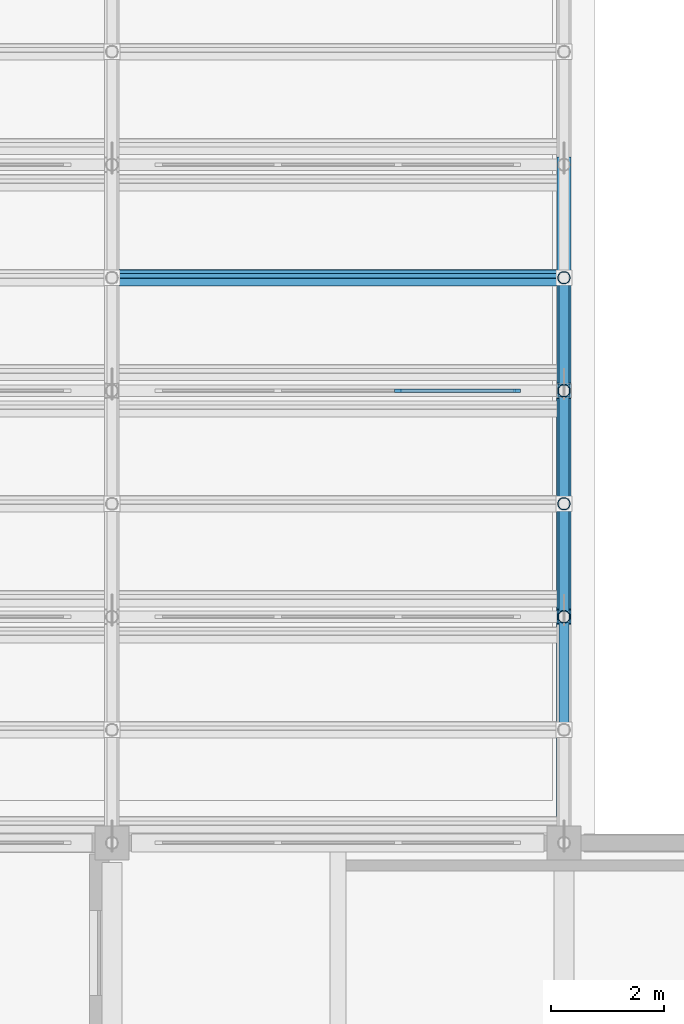
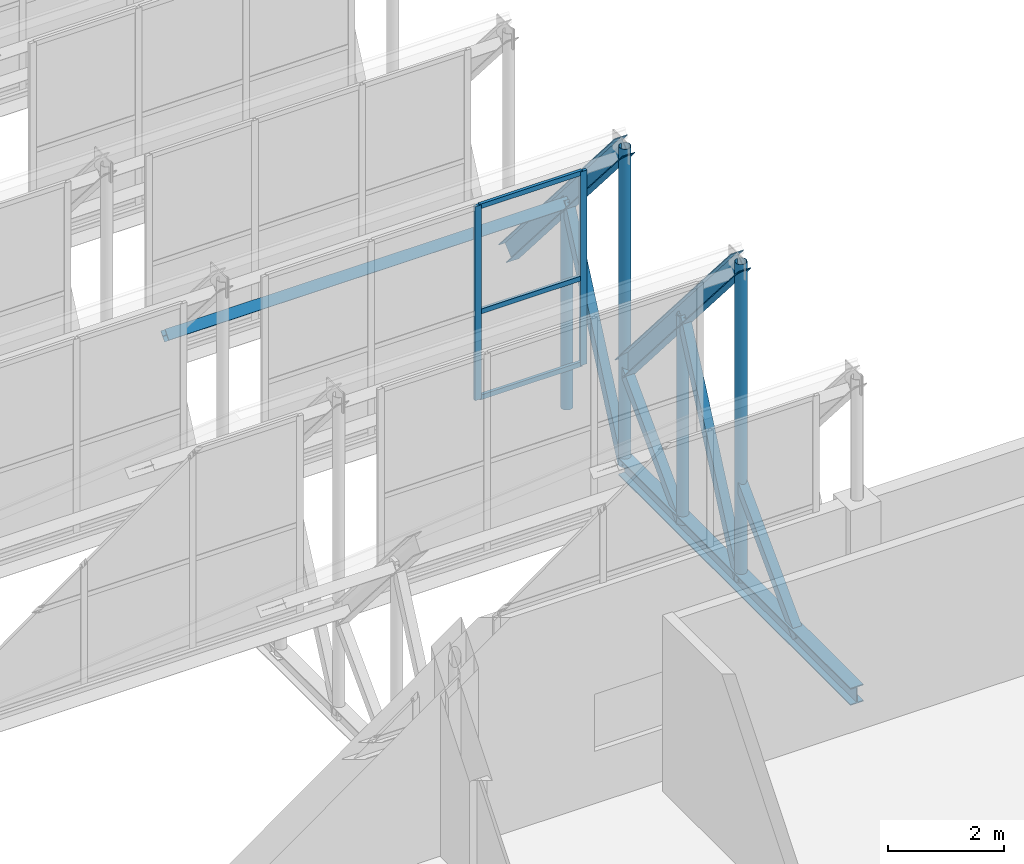
# One storey, part 24 of 43: 16 members, 1 beam, 1 element without a shape of its own.
"""IFC4 building model written with IfcOpenShell, lengths in metres."""

from ifc_helpers import new_model, si_unit, direction, frame, origin, origin_2d, place, context, subcontext, project, spatial, rectangle, hollow_rectangle, hollow_circle, i_section, extrude, material, layer, layer_set, material_profile, profile_set, type_object, element, aggregate, save


model = new_model("IFC4")

# Units and contexts
model_context = context("Model", 3, precision=1e-05, world=origin(), true_north=direction((0.0, 1.0)))
body_context = subcontext(model_context, "Body", "Model", "MODEL_VIEW")
ifc_project = project(units=[si_unit("LENGTHUNIT", "METRE"), si_unit("AREAUNIT", "SQUARE_METRE"), si_unit("VOLUMEUNIT", "CUBIC_METRE"), si_unit("PLANEANGLEUNIT", "RADIAN"), si_unit("MASSUNIT", "GRAM", prefix="KILO")], contexts=[model_context])

# Site, building, storey
site_placement = place(None, origin())
site = spatial("IfcSite", under=ifc_project, at=site_placement, CompositionType="ELEMENT")
building_placement = place(site_placement, origin())
building = spatial("IfcBuilding", under=site, at=building_placement, Name="Qorikala Patio Media Centre", CompositionType="ELEMENT")
storey_placement = place(building_placement, frame((0.0, 0.0, 18.89990234375)))
storey = spatial("IfcBuildingStorey", under=building, at=storey_placement, Name="L04", CompositionType="ELEMENT", Elevation=18.89990234375)

# Members
ifc_material_1 = material(Name="Steel S355", Category="steel")
ifc_material_profile_1 = material_profile(ifc_material_1, hollow_rectangle(XDim=0.179931640625, YDim=0.179931640625, WallThickness=0.008056640625, at=origin_2d()), Name="HSS180X180X8")
ifc_profile_set_1 = profile_set([ifc_material_profile_1], Name="Steel S355")
member_type_1 = type_object("IfcMemberType", Name="BRACE-HSS180", PredefinedType="BRACE", material=ifc_profile_set_1)
member_1_placement = place(storey_placement, frame((27.0, 74.0, 0.35009765625), z_axis=(0.0, 0.698315330267, 0.715790262238), x_axis=(-1.0, 0.0, 0.0)))
element("IfcMember", 1, at=member_1_placement, inside=storey, type_object=member_type_1, Name="SAW-V4 Truss 4 Bay 1 Web Diagonal 2", PredefinedType="BRACE", context=body_context, shape_type="SweptSolid", body=[
    extrude(hollow_rectangle(XDim=0.179931640625, YDim=0.179931640625, WallThickness=0.008056640625, at=origin_2d()), origin(), (0.0, 0.0, 1.0), 2.864013671875),
])
member_2_placement = place(storey_placement, frame((27.0, 76.0, 0.35009765625), z_axis=(0.0, 0.415759760268, 0.909474475586), x_axis=(-1.0, 0.0, 0.0)))
element("IfcMember", 2, at=member_2_placement, inside=storey, type_object=member_type_1, Name="SAW-V4 Truss 4 Bay 2 Web Diagonal 1", PredefinedType="BRACE", context=body_context, shape_type="SweptSolid", body=[
    extrude(hollow_rectangle(XDim=0.179931640625, YDim=0.179931640625, WallThickness=0.008056640625, at=origin_2d()), origin(), (0.0, 0.0, 1.0), 4.810546875),
])
member_3_placement = place(storey_placement, frame((27.0, 78.0, 0.35009765625), z_axis=(0.0, 0.698315330267, 0.715790262238), x_axis=(-1.0, 0.0, 0.0)))
element("IfcMember", 3, at=member_3_placement, inside=storey, type_object=member_type_1, Name="SAW-V4 Truss 4 Bay 2 Web Diagonal 2", PredefinedType="BRACE", context=body_context, shape_type="SweptSolid", body=[
    extrude(hollow_rectangle(XDim=0.179931640625, YDim=0.179931640625, WallThickness=0.008056640625, at=origin_2d()), origin(), (0.0, 0.0, 1.0), 2.864013671875),
])
member_4_placement = place(storey_placement, frame((27.0, 80.0, 0.35009765625), z_axis=(0.0, 0.415759760268, 0.909474475586), x_axis=(-1.0, 0.0, 0.0)))
element("IfcMember", 4, at=member_4_placement, inside=storey, type_object=member_type_1, Name="SAW-V4 Truss 4 Bay 3 Web Diagonal 1", PredefinedType="BRACE", context=body_context, shape_type="SweptSolid", body=[
    extrude(hollow_rectangle(XDim=0.179931640625, YDim=0.179931640625, WallThickness=0.008056640625, at=origin_2d()), origin(), (0.0, 0.0, 1.0), 4.810546875),
])
ifc_material_profile_2 = material_profile(ifc_material_1, i_section(OverallWidth=0.25390625, OverallDepth=0.35302734375, WebThickness=0.009521484375, FlangeThickness=0.016357421875, at=origin_2d()), Name="W360X91")
ifc_profile_set_2 = profile_set([ifc_material_profile_2], Name="Steel S355")
member_type_2 = type_object("IfcMemberType", Name="CHORD-W360X91", PredefinedType="CHORD", material=ifc_profile_set_2)
for number, where, z_axis, x_axis, name in (
    (5, (27.0, 76.0, 7.050048828125), (0.0, 0.652140853929, -0.758097821285), (-1.0, 0.0, 0.0), "SAW-V4 Truss 4 Bay 2 Sloped Top Chord"),
    (6, (27.0, 80.0, 7.050048828125), (0.0, 0.652140853929, -0.758097821285), (-1.0, 0.0, 0.0), "SAW-V4 Truss 4 Bay 3 Sloped Top Chord"),
):
    element("IfcMember", number, at=place(storey_placement, frame(where, z_axis=z_axis, x_axis=x_axis)), inside=storey, type_object=member_type_2, Name=name, PredefinedType="CHORD", context=body_context, shape_type="SweptSolid", body=[
        extrude(i_section(OverallWidth=0.25390625, OverallDepth=0.35302734375, WebThickness=0.009521484375, FlangeThickness=0.016357421875, at=origin_2d()), origin(), (0.0, 0.0, 1.0), 6.133544921875),
    ])

# Curtain wall, members
ifc_material_2 = material(Name="Bronze Anodised Aluminium and Low-E Glass", Category="aluminium")
ifc_layer = layer(ifc_material_2, 0.159912109375)
ifc_layer_set = layer_set([ifc_layer], Name="Bronze Anodised Aluminium and Low-E Glass")
curtain_wall_type = type_object("IfcCurtainWallType", Name="CW-SAW-640X408", PredefinedType="USERDEFINED", material=ifc_layer_set)
curtain_wall_placement = place(storey_placement, origin())
curtain_wall = element("IfcCurtainWall", 7, at=curtain_wall_placement, inside=storey, type_object=curtain_wall_type, Name="L04 Sawtooth Glazing 150", ObjectType="SAWTOOTH GLAZING", PredefinedType="USERDEFINED")
ifc_material_3 = material(Name="Bronze Anodised Aluminium", Category="aluminium")
ifc_material_profile_3 = material_profile(ifc_material_3, rectangle(XDim=0.06005859375, YDim=0.1298828125, at=origin_2d()), Name="ALU MULLION 60x130")
ifc_profile_set_3 = profile_set([ifc_material_profile_3], Name="Bronze Anodised Aluminium")
member_type_3 = type_object("IfcMemberType", Name="CWM-60X130", PredefinedType="MULLION", material=ifc_profile_set_3)
member_5_placement = place(storey_placement, frame((24.066650390625, 80.0, 2.75), z_axis=(0.0, 0.0, 1.0), x_axis=(0.0, 1.0, 0.0)))
member_5 = element("IfcMember", 8, at=member_5_placement, type_object=member_type_3, Name="CWS640408 mullion 3", PredefinedType="MULLION", context=body_context, shape_type="SweptSolid", body=[
    extrude(rectangle(XDim=0.06005859375, YDim=0.1298828125, at=origin_2d()), origin(), (0.0, 0.0, 1.0), 4.080078125),
])
member_6_placement = place(storey_placement, frame((26.169921875, 80.0, 2.75), z_axis=(0.0, 0.0, 1.0), x_axis=(0.0, 1.0, 0.0)))
member_6 = element("IfcMember", 9, at=member_6_placement, type_object=member_type_3, Name="CWS640408 mullion 4", PredefinedType="MULLION", context=body_context, shape_type="SweptSolid", body=[
    extrude(rectangle(XDim=0.06005859375, YDim=0.1298828125, at=origin_2d()), origin(), (0.0, 0.0, 1.0), 4.080078125),
])
ifc_material_profile_4 = material_profile(ifc_material_3, rectangle(XDim=0.06005859375, YDim=0.10009765625, at=origin_2d()), Name="ALU TRANSOM 60x100")
ifc_profile_set_4 = profile_set([ifc_material_profile_4], Name="Bronze Anodised Aluminium")
member_type_4 = type_object("IfcMemberType", Name="CWT-60X100", PredefinedType="USERDEFINED", material=ifc_profile_set_4)
member_7_placement = place(storey_placement, frame((24.0966796875, 80.0, 2.780029296875), z_axis=(1.0, 0.0, 0.0), x_axis=(0.0, 1.0, 0.0)))
member_7 = element("IfcMember", 10, at=member_7_placement, type_object=member_type_4, Name="CWS640408 transom 3.1", ObjectType="TRANSOM", PredefinedType="USERDEFINED", context=body_context, shape_type="SweptSolid", body=[
    extrude(rectangle(XDim=0.06005859375, YDim=0.10009765625, at=origin_2d()), origin(), (0.0, 0.0, 1.0), 2.043212890625),
])
member_8_placement = place(storey_placement, frame((24.0966796875, 80.0, 4.586181640625), z_axis=(1.0, 0.0, 0.0), x_axis=(0.0, 1.0, 0.0)))
member_8 = element("IfcMember", 11, at=member_8_placement, type_object=member_type_4, Name="CWS640408 transom 3.2", ObjectType="TRANSOM", PredefinedType="USERDEFINED", context=body_context, shape_type="SweptSolid", body=[
    extrude(rectangle(XDim=0.06005859375, YDim=0.10009765625, at=origin_2d()), origin(), (0.0, 0.0, 1.0), 2.043212890625),
])
member_9_placement = place(storey_placement, frame((24.0966796875, 80.0, 6.800048828125), z_axis=(1.0, 0.0, 0.0), x_axis=(0.0, 1.0, 0.0)))
member_9 = element("IfcMember", 12, at=member_9_placement, type_object=member_type_4, Name="CWS640408 transom 3.3", ObjectType="TRANSOM", PredefinedType="USERDEFINED", context=body_context, shape_type="SweptSolid", body=[
    extrude(rectangle(XDim=0.06005859375, YDim=0.10009765625, at=origin_2d()), origin(), (0.0, 0.0, 1.0), 2.043212890625),
])
aggregate(curtain_wall, [member_5, member_6, member_7, member_8, member_9])

# Member
ifc_material_profile_5 = material_profile(ifc_material_1, i_section(OverallWidth=0.202880859375, OverallDepth=0.202880859375, WebThickness=0.007080078125, FlangeThickness=0.010986328125, at=origin_2d()), Name="W200X46")
ifc_profile_set_5 = profile_set([ifc_material_profile_5], Name="Steel S355")
member_type_5 = type_object("IfcMemberType", Name="PURLIN-W200X46", PredefinedType="PURLIN", material=ifc_profile_set_5)
member_10_placement = place(storey_placement, frame((19.0, 82.0, 4.643310546875), z_axis=(1.0, 0.0, 0.0), x_axis=(0.0, 0.652138098758, 0.758100191366)))
element("IfcMember", 13, at=member_10_placement, inside=storey, type_object=member_type_5, Name="SAW-V4 Bay 3 Roof Purlin", PredefinedType="PURLIN", context=body_context, shape_type="SweptSolid", body=[
    extrude(i_section(OverallWidth=0.202880859375, OverallDepth=0.202880859375, WebThickness=0.007080078125, FlangeThickness=0.010986328125, at=origin_2d()), origin(), (0.0, 0.0, 1.0), 8.0),
])

# Beam
ifc_material_profile_6 = material_profile(ifc_material_1, i_section(OverallWidth=0.257080078125, OverallDepth=0.363037109375, WebThickness=0.012939453125, FlangeThickness=0.021728515625, at=origin_2d()), Name="W360X122")
ifc_profile_set_6 = profile_set([ifc_material_profile_6], Name="Steel S355")
beam_type = type_object("IfcBeamType", Name="SBM-W360X122", PredefinedType="BEAM", material=ifc_profile_set_6)
beam_placement = place(storey_placement, frame((27.0, 72.0, 0.35009765625), z_axis=(0.0, 1.0, 0.0), x_axis=(-1.0, 0.0, 0.0)))
element("IfcBeam", 14, at=beam_placement, inside=storey, type_object=beam_type, Name="SAW-V4 Longitudinal Truss Tie Girder X=27", PredefinedType="BEAM", context=body_context, shape_type="SweptSolid", body=[
    extrude(i_section(OverallWidth=0.257080078125, OverallDepth=0.363037109375, WebThickness=0.012939453125, FlangeThickness=0.021728515625, at=origin_2d()), origin(), (0.0, 0.0, 1.0), 8.0),
])

# Members
ifc_material_profile_7 = material_profile(ifc_material_1, hollow_circle(Radius=0.109619140625, WallThickness=0.008056640625, at=origin_2d()), Name="CHS219X8")
ifc_profile_set_7 = profile_set([ifc_material_profile_7], Name="Steel S355")
member_type_6 = type_object("IfcMemberType", Name="STRUT-CHS219", PredefinedType="STRUT", material=ifc_profile_set_7)
member_11_placement = place(storey_placement, frame((27.0, 76.0, 0.35009765625), z_axis=(0.0, 0.0, 1.0), x_axis=(1.0, 0.0, 0.0)))
element("IfcMember", 15, at=member_11_placement, inside=storey, type_object=member_type_6, Name="SAW-V4 Truss 4 Bay 2 Clerestory Post", PredefinedType="STRUT", context=body_context, shape_type="SweptSolid", body=[
    extrude(hollow_circle(Radius=0.109619140625, WallThickness=0.008056640625, at=origin_2d()), origin(), (0.0, 0.0, 1.0), 6.699951171875),
])
member_12_placement = place(storey_placement, frame((27.0, 78.0, 0.35009765625), z_axis=(0.0, 0.0, 1.0), x_axis=(1.0, 0.0, 0.0)))
element("IfcMember", 16, at=member_12_placement, inside=storey, type_object=member_type_6, Name="SAW-V4 Truss 4 Bay 2 Mid Strut", PredefinedType="STRUT", context=body_context, shape_type="SweptSolid", body=[
    extrude(hollow_circle(Radius=0.109619140625, WallThickness=0.008056640625, at=origin_2d()), origin(), (0.0, 0.0, 1.0), 4.375),
])
member_13_placement = place(storey_placement, frame((27.0, 80.0, 0.35009765625), z_axis=(0.0, 0.0, 1.0), x_axis=(1.0, 0.0, 0.0)))
element("IfcMember", 17, at=member_13_placement, inside=storey, type_object=member_type_6, Name="SAW-V4 Truss 4 Bay 3 Clerestory Post", PredefinedType="STRUT", context=body_context, shape_type="SweptSolid", body=[
    extrude(hollow_circle(Radius=0.109619140625, WallThickness=0.008056640625, at=origin_2d()), origin(), (0.0, 0.0, 1.0), 6.699951171875),
])
member_14_placement = place(storey_placement, frame((27.0, 82.0, 0.35009765625), z_axis=(0.0, 0.0, 1.0), x_axis=(1.0, 0.0, 0.0)))
element("IfcMember", 18, at=member_14_placement, inside=storey, type_object=member_type_6, Name="SAW-V4 Truss 4 Bay 3 Mid Strut", PredefinedType="STRUT", context=body_context, shape_type="SweptSolid", body=[
    extrude(hollow_circle(Radius=0.109619140625, WallThickness=0.008056640625, at=origin_2d()), origin(), (0.0, 0.0, 1.0), 4.375),
])

save(model, "model.ifc")
